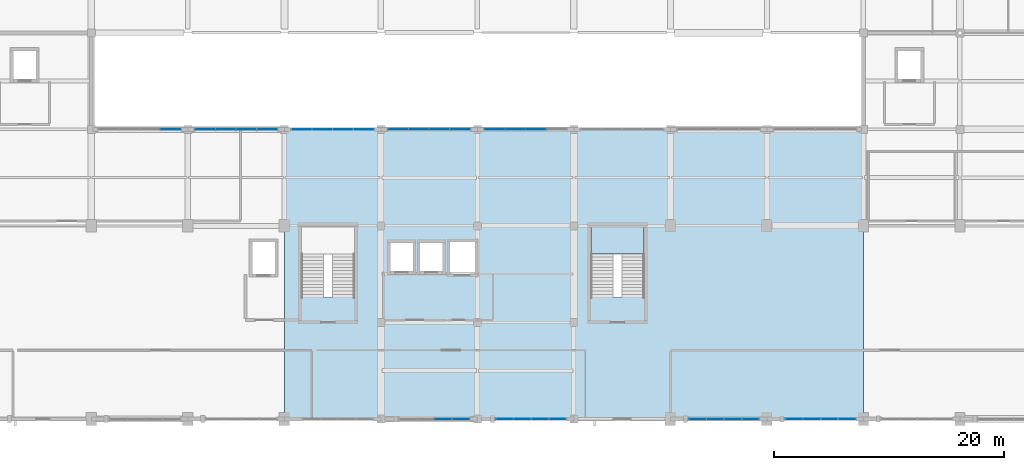
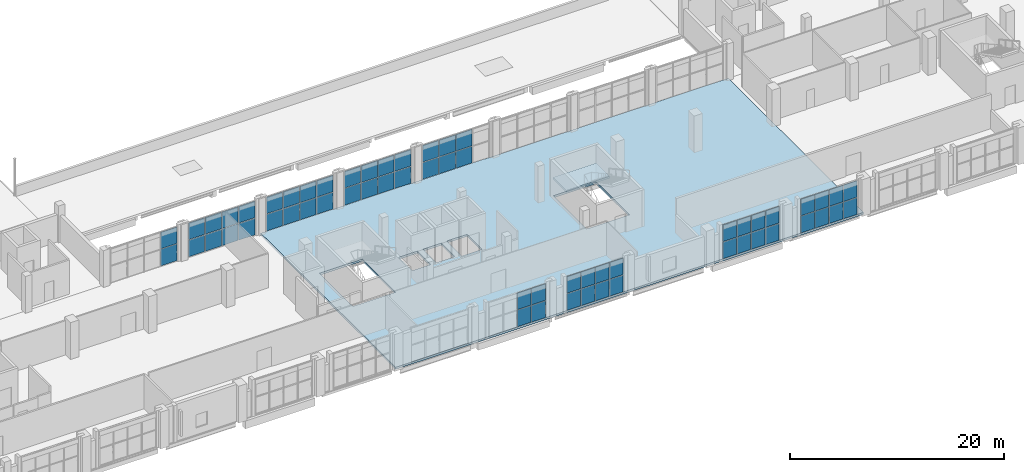
# One storey, part 40 of 64: 60 plates, 2 slabs, 10 elements without a shape of their own.
"""IFC4 building model written with IfcOpenShell, lengths in metres."""

import ifcopenshell
import ifcopenshell.guid

model = None  # the IFC model being written
_history = None  # IfcOwnerHistory: only IFC2X3 demands one
_inside = {}  # id of a spatial element -> (the spatial element, [elements in it])
_under = {}  # id of a project, library or spatial element -> (it, [spatial elements below it])
_declared = {}  # id of a project -> (the project, [libraries it declares])
_typed = {}  # id of a type object -> (the type object, [elements of that type])
_made_of = {}  # id of a material, layer set ... -> (it, [elements and type objects made of it])


def new_model(schema):
    """Start an empty IFC model of exactly this schema.

    Asked for "IFC4X3", IfcOpenShell would pick the latest addendum, in which some entities
    have other attributes; the version numbers below select the first issue.
    IFC2X3 requires an IfcOwnerHistory on every rooted entity: one is made here for all.
    """
    global model, _history
    if schema == "IFC4X3":
        model = ifcopenshell.file(schema_version=(4, 3, 0, 0))
    else:
        model = ifcopenshell.file(schema=schema)
    _inside.clear()
    _under.clear()
    _declared.clear()
    _typed.clear()
    _made_of.clear()
    _history = None
    if model.schema == "IFC2X3":
        org = make("IfcOrganization", Name="unknown")
        user = make(
            "IfcPersonAndOrganization",
            ThePerson=make("IfcPerson", FamilyName="unknown"),
            TheOrganization=org,
        )
        app = make(
            "IfcApplication",
            ApplicationDeveloper=org,
            Version="unknown",
            ApplicationFullName="unknown",
            ApplicationIdentifier="unknown",
        )
        _history = make(
            "IfcOwnerHistory",
            OwningUser=user,
            OwningApplication=app,
            ChangeAction="ADDED",
            CreationDate=0,
        )
    return model


def make(cls, **values):
    """One entity of the class cls with the attributes given. An attribute that is None is left unset."""
    return model.create_entity(
        cls, **{name: value for name, value in values.items() if value is not None}
    )


def rooted(cls, **values):
    """An entity with a GlobalId (a new one), such as an element, a storey or a relation."""
    return make(cls, GlobalId=ifcopenshell.guid.new(), OwnerHistory=_history, **values)


def si_unit(unit_type, name, prefix=None):
    """IfcSIUnit, for example si_unit("LENGTHUNIT", "METRE", prefix="MILLI")."""
    return make("IfcSIUnit", UnitType=unit_type, Prefix=prefix, Name=name)


def derived_unit(unit_type, elements):
    """IfcDerivedUnit: a product of units, each with its exponent."""
    return make(
        "IfcDerivedUnit",
        Elements=[
            make("IfcDerivedUnitElement", Unit=unit, Exponent=power)
            for unit, power in elements
        ],
        UnitType=unit_type,
    )


def assignment(units):
    """IfcUnitAssignment: the units of a project."""
    return None if units is None else make("IfcUnitAssignment", Units=units)


def point(xyz):
    """IfcCartesianPoint."""
    return None if xyz is None else make("IfcCartesianPoint", Coordinates=xyz)


def direction(xyz):
    """IfcDirection."""
    return None if xyz is None else make("IfcDirection", DirectionRatios=xyz)


def frame(location, z_axis=None, x_axis=None):
    """IfcAxis2Placement3D, a coordinate frame: its origin and axes. An axis left out is left unset."""
    return make(
        "IfcAxis2Placement3D",
        Location=point(location),
        Axis=direction(z_axis),
        RefDirection=direction(x_axis),
    )


def frame_2d(location, x_axis=None):
    """IfcAxis2Placement2D, a coordinate frame in the plane: its origin and x axis."""
    return make(
        "IfcAxis2Placement2D", Location=point(location), RefDirection=direction(x_axis)
    )


def origin():
    """The frame at (0, 0, 0) with its axes left unset."""
    return frame((0.0, 0.0, 0.0))


def origin_2d():
    """The frame at (0, 0) in the plane with its x axis left unset."""
    return frame_2d((0.0, 0.0))


def place(relative_to, where):
    """IfcLocalPlacement: puts the frame where relative to a parent placement (None: the world)."""
    return make(
        "IfcLocalPlacement", PlacementRelTo=relative_to, RelativePlacement=where
    )


def context(
    kind, dimensions, precision=None, world=None, true_north=None, identifier=None
):
    """IfcGeometricRepresentationContext, for example the 3D "Model" context."""
    return make(
        "IfcGeometricRepresentationContext",
        ContextIdentifier=identifier,
        ContextType=kind,
        CoordinateSpaceDimension=dimensions,
        Precision=precision,
        WorldCoordinateSystem=world,
        TrueNorth=true_north,
    )


def subcontext(parent, identifier, kind, view, scale=None):
    """IfcGeometricRepresentationSubContext, for example "Body" below "Model"."""
    return make(
        "IfcGeometricRepresentationSubContext",
        ContextIdentifier=identifier,
        ContextType=kind,
        ParentContext=parent,
        TargetScale=scale,
        TargetView=view,
    )


def project(units=None, contexts=None):
    """IfcProject with its units and contexts."""
    return rooted(
        "IfcProject",
        Name="project",
        RepresentationContexts=contexts,
        UnitsInContext=assignment(units),
    )


def spatial(cls, under=None, at=None, **own):
    """A site, building, storey or space (cls), placed at a placement, below another one or the project."""
    s = rooted(cls, ObjectPlacement=at, **own)
    if under is not None:
        _under.setdefault(under.id(), (under, []))[1].append(s)
    return s


def polyline(points):
    """IfcPolyline through the points."""
    return make("IfcPolyline", Points=[point(p) for p in points])


def profile(cls, at=None, kind="AREA", **sizes):
    """A parametric profile (cls). Its sizes go by their IFC names, for example OverallWidth=200.0."""
    return make(cls, ProfileType=kind, Position=at, **sizes)


def rectangle(**sizes):
    """IfcRectangleProfileDef."""
    return profile("IfcRectangleProfileDef", **sizes)


def outline(outer, holes=None, kind="AREA"):
    """IfcArbitraryClosedProfileDef: a profile drawn as a closed curve; with holes, ...WithVoids."""
    if holes is None:
        return make("IfcArbitraryClosedProfileDef", ProfileType=kind, OuterCurve=outer)
    return make(
        "IfcArbitraryProfileDefWithVoids",
        ProfileType=kind,
        OuterCurve=outer,
        InnerCurves=holes,
    )


def extrude(swept, where, along, depth):
    """IfcExtrudedAreaSolid: the profile swept, set in the frame where, extruded along a direction by depth."""
    return make(
        "IfcExtrudedAreaSolid",
        SweptArea=swept,
        Position=where,
        ExtrudedDirection=direction(along),
        Depth=depth,
    )


def shape(context_of_items, identifier, shape_type, items):
    """IfcShapeRepresentation: the items that make up one representation, for example the "Body"."""
    return make(
        "IfcShapeRepresentation",
        ContextOfItems=context_of_items,
        RepresentationIdentifier=identifier,
        RepresentationType=shape_type,
        Items=items,
    )


def material(Name=None, Category=None):
    """IfcMaterial."""
    return make("IfcMaterial", Name=Name, Category=Category)


def layer(
    of_material, thickness, ventilated=None, Name=None, Category=None, Priority=None
):
    """IfcMaterialLayer: one layer of a wall or slab, of a material (None: an air gap)."""
    return make(
        "IfcMaterialLayer",
        Material=of_material,
        LayerThickness=thickness,
        IsVentilated=ventilated,
        Name=Name,
        Category=Category,
        Priority=Priority,
    )


def layer_set(layers, Name=None):
    """IfcMaterialLayerSet."""
    return make("IfcMaterialLayerSet", MaterialLayers=layers, LayerSetName=Name)


def made_of(thing, what):
    """Note that an element or type object is made of a material, layer set ...; save() writes the relation."""
    if what is not None:
        _made_of.setdefault(what.id(), (what, []))[1].append(thing)
    return thing


def type_object(cls, material=None, **own):
    """A type object (cls), such as IfcWallType, which elements share."""
    return made_of(rooted(cls, **own), material)


def element(
    cls,
    number,
    at=None,
    inside=None,
    cuts=None,
    type_object=None,
    material=None,
    context=None,
    identifier="Body",
    shape_type=None,
    held_by="IfcProductDefinitionShape",
    body=None,
    shapes=None,
    **own,
):
    """One element of the class cls, such as IfcWall. Its Tag is "e" and its number.

    at: its placement. inside: the storey or other place that contains it. cuts: it is an
    opening in that element (IfcRelVoidsElement). A single representation is given by context,
    identifier, shape_type and body (its items); several are given by shapes. held_by: the class
    of the entity that holds the representations. save() writes the other relations.
    """
    e = rooted(cls, Tag="e%d" % number, ObjectPlacement=at, **own)
    if body is not None:
        shapes = [shape(context, identifier, shape_type, body)]
    if shapes is not None:
        e.Representation = make(held_by, Representations=shapes)
    if inside is not None:
        _inside.setdefault(inside.id(), (inside, []))[1].append(e)
    if cuts is not None:
        rooted(
            "IfcRelVoidsElement", RelatingBuildingElement=cuts, RelatedOpeningElement=e
        )
    if type_object is not None:
        _typed.setdefault(type_object.id(), (type_object, []))[1].append(e)
    return made_of(e, material)


def aggregate(whole, parts):
    """IfcRelAggregates: a whole, such as a stair, and the parts it consists of."""
    return rooted("IfcRelAggregates", RelatingObject=whole, RelatedObjects=parts)


def save(model, path):
    """Write the relations noted so far, then the file.

    IfcRelAggregates (storeys below a building ...), IfcRelContainedInSpatialStructure (elements
    in a storey), IfcRelDefinesByType, IfcRelAssociatesMaterial and IfcRelDeclares: one each for
    every whole, place, type object, material and project.
    """
    for whole, parts in _under.values():
        aggregate(whole, parts)
    for where, things in _inside.values():
        rooted(
            "IfcRelContainedInSpatialStructure",
            RelatedElements=things,
            RelatingStructure=where,
        )
    for kind, things in _typed.values():
        rooted("IfcRelDefinesByType", RelatedObjects=things, RelatingType=kind)
    for what, things in _made_of.values():
        rooted("IfcRelAssociatesMaterial", RelatedObjects=things, RelatingMaterial=what)
    for by, libraries in _declared.values():
        rooted("IfcRelDeclares", RelatingContext=by, RelatedDefinitions=libraries)
    model.write(path)


model = new_model("IFC4")

# Units and contexts
model_context = context("Model", 3, precision=1e-05, world=origin(), true_north=direction((0.0, 1.0)))
body_context = subcontext(model_context, "Body", "Model", "MODEL_VIEW")
ifc_project = project(units=[si_unit("LENGTHUNIT", "METRE"), si_unit("AREAUNIT", "SQUARE_METRE"), si_unit("VOLUMEUNIT", "CUBIC_METRE"), si_unit("PLANEANGLEUNIT", "RADIAN"), si_unit("MASSUNIT", "GRAM", prefix="KILO"), derived_unit("THERMALTRANSMITTANCEUNIT", [(si_unit("POWERUNIT", "WATT"), 1), (si_unit("LENGTHUNIT", "METRE"), -2), (si_unit("THERMODYNAMICTEMPERATUREUNIT", "KELVIN"), -1)])], contexts=[model_context])

# Site, building, storey
site_placement = place(None, origin())
site = spatial("IfcSite", under=ifc_project, at=site_placement, CompositionType="ELEMENT")
building_placement = place(site_placement, origin())
building = spatial("IfcBuilding", under=site, at=building_placement, Name="Barrovel Congress Hotel", CompositionType="ELEMENT")
storey_placement = place(building_placement, frame((0.0, 0.0, 14.10009765625)))
storey = spatial("IfcBuildingStorey", under=building, at=storey_placement, Name="L03", CompositionType="ELEMENT", Elevation=14.10009765625)

# Curtain wall, plates
ifc_material_1 = material(Name="Anodised Aluminium Alloy 6063-T6", Category="aluminium")
curtain_wall_type = type_object("IfcCurtainWallType", Name="CW-ST-7200x3600", PredefinedType="USERDEFINED", material=ifc_material_1)
curtain_wall_1_placement = place(storey_placement, origin())
curtain_wall_1 = element("IfcCurtainWall", 1, at=curtain_wall_1_placement, inside=storey, type_object=curtain_wall_type, Name="CW:L03:S:11", ObjectType="STICK CURTAIN WALL", PredefinedType="USERDEFINED")
ifc_material_2 = material(Name="Double Low-E Insulated Glazing", Category="glass")
ifc_layer_1 = layer(ifc_material_2, 0.028076171875)
ifc_layer_set_1 = layer_set([ifc_layer_1], Name="Double Low-E Insulated Glazing")
plate_type_1 = type_object("IfcPlateType", Name="CWP-28", PredefinedType="CURTAIN_PANEL", material=ifc_layer_set_1)
plate_1_placement = place(storey_placement, frame((94.784912109375, 4.199951171875, 0.030029296875), z_axis=(0.0, 0.0, 1.0), x_axis=(1.0, 0.0, 0.0)))
plate_1 = element("IfcPlate", 2, at=plate_1_placement, type_object=plate_type_1, Name="CW:L03:S:11:P0-0", PredefinedType="CURTAIN_PANEL", context=body_context, shape_type="SweptSolid", body=[
    extrude(rectangle(XDim=1.469970703125, YDim=0.028076171875, at=origin_2d()), origin(), (0.0, 0.0, 1.0), 1.89990234375),
])
plate_2_placement = place(storey_placement, frame((94.784912109375, 4.199951171875, 1.989990234375), z_axis=(0.0, 0.0, 1.0), x_axis=(1.0, 0.0, 0.0)))
plate_2 = element("IfcPlate", 3, at=plate_2_placement, type_object=plate_type_1, Name="CW:L03:S:11:P0-1", PredefinedType="CURTAIN_PANEL", context=body_context, shape_type="SweptSolid", body=[
    extrude(rectangle(XDim=1.469970703125, YDim=0.028076171875, at=origin_2d()), origin(), (0.0, 0.0, 1.0), 1.89990234375),
])
plate_3_placement = place(storey_placement, frame((96.31494140625, 4.199951171875, 0.030029296875), z_axis=(0.0, 0.0, 1.0), x_axis=(1.0, 0.0, 0.0)))
plate_3 = element("IfcPlate", 4, at=plate_3_placement, type_object=plate_type_1, Name="CW:L03:S:11:P1-0", PredefinedType="CURTAIN_PANEL", context=body_context, shape_type="SweptSolid", body=[
    extrude(rectangle(XDim=1.469970703125, YDim=0.028076171875, at=origin_2d()), origin(), (0.0, 0.0, 1.0), 1.89990234375),
])
plate_4_placement = place(storey_placement, frame((96.31494140625, 4.199951171875, 1.989990234375), z_axis=(0.0, 0.0, 1.0), x_axis=(1.0, 0.0, 0.0)))
plate_4 = element("IfcPlate", 5, at=plate_4_placement, type_object=plate_type_1, Name="CW:L03:S:11:P1-1", PredefinedType="CURTAIN_PANEL", context=body_context, shape_type="SweptSolid", body=[
    extrude(rectangle(XDim=1.469970703125, YDim=0.028076171875, at=origin_2d()), origin(), (0.0, 0.0, 1.0), 1.89990234375),
])
plate_5_placement = place(storey_placement, frame((97.844970703125, 4.199951171875, 0.030029296875), z_axis=(0.0, 0.0, 1.0), x_axis=(1.0, 0.0, 0.0)))
plate_5 = element("IfcPlate", 6, at=plate_5_placement, type_object=plate_type_1, Name="CW:L03:S:11:P2-0", PredefinedType="CURTAIN_PANEL", context=body_context, shape_type="SweptSolid", body=[
    extrude(rectangle(XDim=1.469970703125, YDim=0.028076171875, at=origin_2d()), origin(), (0.0, 0.0, 1.0), 1.89990234375),
])
plate_6_placement = place(storey_placement, frame((97.844970703125, 4.199951171875, 1.989990234375), z_axis=(0.0, 0.0, 1.0), x_axis=(1.0, 0.0, 0.0)))
plate_6 = element("IfcPlate", 7, at=plate_6_placement, type_object=plate_type_1, Name="CW:L03:S:11:P2-1", PredefinedType="CURTAIN_PANEL", context=body_context, shape_type="SweptSolid", body=[
    extrude(rectangle(XDim=1.469970703125, YDim=0.028076171875, at=origin_2d()), origin(), (0.0, 0.0, 1.0), 1.89990234375),
])
plate_7_placement = place(storey_placement, frame((99.375, 4.199951171875, 0.030029296875), z_axis=(0.0, 0.0, 1.0), x_axis=(1.0, 0.0, 0.0)))
plate_7 = element("IfcPlate", 8, at=plate_7_placement, type_object=plate_type_1, Name="CW:L03:S:11:P3-0", PredefinedType="CURTAIN_PANEL", context=body_context, shape_type="SweptSolid", body=[
    extrude(rectangle(XDim=1.469970703125, YDim=0.028076171875, at=origin_2d()), origin(), (0.0, 0.0, 1.0), 1.89990234375),
])
plate_8_placement = place(storey_placement, frame((99.375, 4.199951171875, 1.989990234375), z_axis=(0.0, 0.0, 1.0), x_axis=(1.0, 0.0, 0.0)))
plate_8 = element("IfcPlate", 9, at=plate_8_placement, type_object=plate_type_1, Name="CW:L03:S:11:P3-1", PredefinedType="CURTAIN_PANEL", context=body_context, shape_type="SweptSolid", body=[
    extrude(rectangle(XDim=1.469970703125, YDim=0.028076171875, at=origin_2d()), origin(), (0.0, 0.0, 1.0), 1.89990234375),
])
aggregate(curtain_wall_1, [plate_1, plate_2, plate_3, plate_4, plate_5, plate_6, plate_7, plate_8])

curtain_wall_2_placement = place(storey_placement, origin())
curtain_wall_2 = element("IfcCurtainWall", 10, at=curtain_wall_2_placement, inside=storey, type_object=curtain_wall_type, Name="CW:L03:S:14", ObjectType="STICK CURTAIN WALL", PredefinedType="USERDEFINED")
plate_9_placement = place(storey_placement, frame((119.985107421875, 4.199951171875, 0.030029296875), z_axis=(0.0, 0.0, 1.0), x_axis=(1.0, 0.0, 0.0)))
plate_9 = element("IfcPlate", 11, at=plate_9_placement, type_object=plate_type_1, Name="CW:L03:S:14:P0-0", PredefinedType="CURTAIN_PANEL", context=body_context, shape_type="SweptSolid", body=[
    extrude(rectangle(XDim=1.469970703125, YDim=0.028076171875, at=origin_2d()), origin(), (0.0, 0.0, 1.0), 1.89990234375),
])
plate_10_placement = place(storey_placement, frame((119.985107421875, 4.199951171875, 1.989990234375), z_axis=(0.0, 0.0, 1.0), x_axis=(1.0, 0.0, 0.0)))
plate_10 = element("IfcPlate", 12, at=plate_10_placement, type_object=plate_type_1, Name="CW:L03:S:14:P0-1", PredefinedType="CURTAIN_PANEL", context=body_context, shape_type="SweptSolid", body=[
    extrude(rectangle(XDim=1.469970703125, YDim=0.028076171875, at=origin_2d()), origin(), (0.0, 0.0, 1.0), 1.89990234375),
])
plate_11_placement = place(storey_placement, frame((121.514892578125, 4.199951171875, 0.030029296875), z_axis=(0.0, 0.0, 1.0), x_axis=(1.0, 0.0, 0.0)))
plate_11 = element("IfcPlate", 13, at=plate_11_placement, type_object=plate_type_1, Name="CW:L03:S:14:P1-0", PredefinedType="CURTAIN_PANEL", context=body_context, shape_type="SweptSolid", body=[
    extrude(rectangle(XDim=1.469970703125, YDim=0.028076171875, at=origin_2d()), origin(), (0.0, 0.0, 1.0), 1.89990234375),
])
plate_12_placement = place(storey_placement, frame((121.514892578125, 4.199951171875, 1.989990234375), z_axis=(0.0, 0.0, 1.0), x_axis=(1.0, 0.0, 0.0)))
plate_12 = element("IfcPlate", 14, at=plate_12_placement, type_object=plate_type_1, Name="CW:L03:S:14:P1-1", PredefinedType="CURTAIN_PANEL", context=body_context, shape_type="SweptSolid", body=[
    extrude(rectangle(XDim=1.469970703125, YDim=0.028076171875, at=origin_2d()), origin(), (0.0, 0.0, 1.0), 1.89990234375),
])
plate_13_placement = place(storey_placement, frame((123.044921875, 4.199951171875, 0.030029296875), z_axis=(0.0, 0.0, 1.0), x_axis=(1.0, 0.0, 0.0)))
plate_13 = element("IfcPlate", 15, at=plate_13_placement, type_object=plate_type_1, Name="CW:L03:S:14:P2-0", PredefinedType="CURTAIN_PANEL", context=body_context, shape_type="SweptSolid", body=[
    extrude(rectangle(XDim=1.469970703125, YDim=0.028076171875, at=origin_2d()), origin(), (0.0, 0.0, 1.0), 1.89990234375),
])
plate_14_placement = place(storey_placement, frame((123.044921875, 4.199951171875, 1.989990234375), z_axis=(0.0, 0.0, 1.0), x_axis=(1.0, 0.0, 0.0)))
plate_14 = element("IfcPlate", 16, at=plate_14_placement, type_object=plate_type_1, Name="CW:L03:S:14:P2-1", PredefinedType="CURTAIN_PANEL", context=body_context, shape_type="SweptSolid", body=[
    extrude(rectangle(XDim=1.469970703125, YDim=0.028076171875, at=origin_2d()), origin(), (0.0, 0.0, 1.0), 1.89990234375),
])
plate_15_placement = place(storey_placement, frame((124.574951171875, 4.199951171875, 0.030029296875), z_axis=(0.0, 0.0, 1.0), x_axis=(1.0, 0.0, 0.0)))
plate_15 = element("IfcPlate", 17, at=plate_15_placement, type_object=plate_type_1, Name="CW:L03:S:14:P3-0", PredefinedType="CURTAIN_PANEL", context=body_context, shape_type="SweptSolid", body=[
    extrude(rectangle(XDim=1.469970703125, YDim=0.028076171875, at=origin_2d()), origin(), (0.0, 0.0, 1.0), 1.89990234375),
])
plate_16_placement = place(storey_placement, frame((124.574951171875, 4.199951171875, 1.989990234375), z_axis=(0.0, 0.0, 1.0), x_axis=(1.0, 0.0, 0.0)))
plate_16 = element("IfcPlate", 18, at=plate_16_placement, type_object=plate_type_1, Name="CW:L03:S:14:P3-1", PredefinedType="CURTAIN_PANEL", context=body_context, shape_type="SweptSolid", body=[
    extrude(rectangle(XDim=1.469970703125, YDim=0.028076171875, at=origin_2d()), origin(), (0.0, 0.0, 1.0), 1.89990234375),
])
aggregate(curtain_wall_2, [plate_9, plate_10, plate_11, plate_12, plate_13, plate_14, plate_15, plate_16])

curtain_wall_3_placement = place(storey_placement, origin())
curtain_wall_3 = element("IfcCurtainWall", 19, at=curtain_wall_3_placement, inside=storey, type_object=curtain_wall_type, Name="CW:L03:CS:11", ObjectType="STICK CURTAIN WALL", PredefinedType="USERDEFINED")
plate_17_placement = place(storey_placement, frame((97.5, 29.39990234375, 0.030029296875), z_axis=(0.0, 0.0, 1.0), x_axis=(-1.0, 0.0, 0.0)))
plate_17 = element("IfcPlate", 20, at=plate_17_placement, type_object=plate_type_1, Name="CW:L03:CS:11:P1-0", PredefinedType="CURTAIN_PANEL", context=body_context, shape_type="SweptSolid", body=[
    extrude(rectangle(XDim=1.739990234375, YDim=0.028076171875, at=origin_2d()), origin(), (0.0, 0.0, 1.0), 1.89990234375),
])
plate_18_placement = place(storey_placement, frame((97.5, 29.39990234375, 1.989990234375), z_axis=(0.0, 0.0, 1.0), x_axis=(-1.0, 0.0, 0.0)))
plate_18 = element("IfcPlate", 21, at=plate_18_placement, type_object=plate_type_1, Name="CW:L03:CS:11:P1-1", PredefinedType="CURTAIN_PANEL", context=body_context, shape_type="SweptSolid", body=[
    extrude(rectangle(XDim=1.739990234375, YDim=0.028076171875, at=origin_2d()), origin(), (0.0, 0.0, 1.0), 1.89990234375),
])
plate_19_placement = place(storey_placement, frame((95.699951171875, 29.39990234375, 0.030029296875), z_axis=(0.0, 0.0, 1.0), x_axis=(-1.0, 0.0, 0.0)))
plate_19 = element("IfcPlate", 22, at=plate_19_placement, type_object=plate_type_1, Name="CW:L03:CS:11:P2-0", PredefinedType="CURTAIN_PANEL", context=body_context, shape_type="SweptSolid", body=[
    extrude(rectangle(XDim=1.739990234375, YDim=0.028076171875, at=origin_2d()), origin(), (0.0, 0.0, 1.0), 1.89990234375),
])
plate_20_placement = place(storey_placement, frame((95.699951171875, 29.39990234375, 1.989990234375), z_axis=(0.0, 0.0, 1.0), x_axis=(-1.0, 0.0, 0.0)))
plate_20 = element("IfcPlate", 23, at=plate_20_placement, type_object=plate_type_1, Name="CW:L03:CS:11:P2-1", PredefinedType="CURTAIN_PANEL", context=body_context, shape_type="SweptSolid", body=[
    extrude(rectangle(XDim=1.739990234375, YDim=0.028076171875, at=origin_2d()), origin(), (0.0, 0.0, 1.0), 1.89990234375),
])
plate_21_placement = place(storey_placement, frame((93.89990234375, 29.39990234375, 0.030029296875), z_axis=(0.0, 0.0, 1.0), x_axis=(-1.0, 0.0, 0.0)))
plate_21 = element("IfcPlate", 24, at=plate_21_placement, type_object=plate_type_1, Name="CW:L03:CS:11:P3-0", PredefinedType="CURTAIN_PANEL", context=body_context, shape_type="SweptSolid", body=[
    extrude(rectangle(XDim=1.739990234375, YDim=0.028076171875, at=origin_2d()), origin(), (0.0, 0.0, 1.0), 1.89990234375),
])
plate_22_placement = place(storey_placement, frame((93.89990234375, 29.39990234375, 1.989990234375), z_axis=(0.0, 0.0, 1.0), x_axis=(-1.0, 0.0, 0.0)))
plate_22 = element("IfcPlate", 25, at=plate_22_placement, type_object=plate_type_1, Name="CW:L03:CS:11:P3-1", PredefinedType="CURTAIN_PANEL", context=body_context, shape_type="SweptSolid", body=[
    extrude(rectangle(XDim=1.739990234375, YDim=0.028076171875, at=origin_2d()), origin(), (0.0, 0.0, 1.0), 1.89990234375),
])
aggregate(curtain_wall_3, [plate_17, plate_18, plate_19, plate_20, plate_21, plate_22])

curtain_wall_4_placement = place(storey_placement, origin())
curtain_wall_4 = element("IfcCurtainWall", 26, at=curtain_wall_4_placement, inside=storey, type_object=curtain_wall_type, Name="CW:L03:CS:09", ObjectType="STICK CURTAIN WALL", PredefinedType="USERDEFINED")
plate_23_placement = place(storey_placement, frame((82.5, 29.39990234375, 0.030029296875), z_axis=(0.0, 0.0, 1.0), x_axis=(-1.0, 0.0, 0.0)))
plate_23 = element("IfcPlate", 27, at=plate_23_placement, type_object=plate_type_1, Name="CW:L03:CS:09:P0-0", PredefinedType="CURTAIN_PANEL", context=body_context, shape_type="SweptSolid", body=[
    extrude(rectangle(XDim=1.739990234375, YDim=0.028076171875, at=origin_2d()), origin(), (0.0, 0.0, 1.0), 1.89990234375),
])
plate_24_placement = place(storey_placement, frame((82.5, 29.39990234375, 1.989990234375), z_axis=(0.0, 0.0, 1.0), x_axis=(-1.0, 0.0, 0.0)))
plate_24 = element("IfcPlate", 28, at=plate_24_placement, type_object=plate_type_1, Name="CW:L03:CS:09:P0-1", PredefinedType="CURTAIN_PANEL", context=body_context, shape_type="SweptSolid", body=[
    extrude(rectangle(XDim=1.739990234375, YDim=0.028076171875, at=origin_2d()), origin(), (0.0, 0.0, 1.0), 1.89990234375),
])
plate_25_placement = place(storey_placement, frame((80.699951171875, 29.39990234375, 0.030029296875), z_axis=(0.0, 0.0, 1.0), x_axis=(-1.0, 0.0, 0.0)))
plate_25 = element("IfcPlate", 29, at=plate_25_placement, type_object=plate_type_1, Name="CW:L03:CS:09:P1-0", PredefinedType="CURTAIN_PANEL", context=body_context, shape_type="SweptSolid", body=[
    extrude(rectangle(XDim=1.739990234375, YDim=0.028076171875, at=origin_2d()), origin(), (0.0, 0.0, 1.0), 1.89990234375),
])
plate_26_placement = place(storey_placement, frame((80.699951171875, 29.39990234375, 1.989990234375), z_axis=(0.0, 0.0, 1.0), x_axis=(-1.0, 0.0, 0.0)))
plate_26 = element("IfcPlate", 30, at=plate_26_placement, type_object=plate_type_1, Name="CW:L03:CS:09:P1-1", PredefinedType="CURTAIN_PANEL", context=body_context, shape_type="SweptSolid", body=[
    extrude(rectangle(XDim=1.739990234375, YDim=0.028076171875, at=origin_2d()), origin(), (0.0, 0.0, 1.0), 1.89990234375),
])
plate_27_placement = place(storey_placement, frame((78.89990234375, 29.39990234375, 0.030029296875), z_axis=(0.0, 0.0, 1.0), x_axis=(-1.0, 0.0, 0.0)))
plate_27 = element("IfcPlate", 31, at=plate_27_placement, type_object=plate_type_1, Name="CW:L03:CS:09:P2-0", PredefinedType="CURTAIN_PANEL", context=body_context, shape_type="SweptSolid", body=[
    extrude(rectangle(XDim=1.739990234375, YDim=0.028076171875, at=origin_2d()), origin(), (0.0, 0.0, 1.0), 1.89990234375),
])
plate_28_placement = place(storey_placement, frame((78.89990234375, 29.39990234375, 1.989990234375), z_axis=(0.0, 0.0, 1.0), x_axis=(-1.0, 0.0, 0.0)))
plate_28 = element("IfcPlate", 32, at=plate_28_placement, type_object=plate_type_1, Name="CW:L03:CS:09:P2-1", PredefinedType="CURTAIN_PANEL", context=body_context, shape_type="SweptSolid", body=[
    extrude(rectangle(XDim=1.739990234375, YDim=0.028076171875, at=origin_2d()), origin(), (0.0, 0.0, 1.0), 1.89990234375),
])
plate_29_placement = place(storey_placement, frame((77.10009765625, 29.39990234375, 0.030029296875), z_axis=(0.0, 0.0, 1.0), x_axis=(-1.0, 0.0, 0.0)))
plate_29 = element("IfcPlate", 33, at=plate_29_placement, type_object=plate_type_1, Name="CW:L03:CS:09:P3-0", PredefinedType="CURTAIN_PANEL", context=body_context, shape_type="SweptSolid", body=[
    extrude(rectangle(XDim=1.739990234375, YDim=0.028076171875, at=origin_2d()), origin(), (0.0, 0.0, 1.0), 1.89990234375),
])
plate_30_placement = place(storey_placement, frame((77.10009765625, 29.39990234375, 1.989990234375), z_axis=(0.0, 0.0, 1.0), x_axis=(-1.0, 0.0, 0.0)))
plate_30 = element("IfcPlate", 34, at=plate_30_placement, type_object=plate_type_1, Name="CW:L03:CS:09:P3-1", PredefinedType="CURTAIN_PANEL", context=body_context, shape_type="SweptSolid", body=[
    extrude(rectangle(XDim=1.739990234375, YDim=0.028076171875, at=origin_2d()), origin(), (0.0, 0.0, 1.0), 1.89990234375),
])
aggregate(curtain_wall_4, [plate_23, plate_24, plate_25, plate_26, plate_27, plate_28, plate_29, plate_30])

curtain_wall_5_placement = place(storey_placement, origin())
curtain_wall_5 = element("IfcCurtainWall", 35, at=curtain_wall_5_placement, inside=storey, type_object=curtain_wall_type, Name="CW:L03:CS:07", ObjectType="STICK CURTAIN WALL", PredefinedType="USERDEFINED")
plate_31_placement = place(storey_placement, frame((65.699951171875, 29.39990234375, 0.030029296875), z_axis=(0.0, 0.0, 1.0), x_axis=(-1.0, 0.0, 0.0)))
plate_31 = element("IfcPlate", 36, at=plate_31_placement, type_object=plate_type_1, Name="CW:L03:CS:07:P0-0", PredefinedType="CURTAIN_PANEL", context=body_context, shape_type="SweptSolid", body=[
    extrude(rectangle(XDim=1.739990234375, YDim=0.028076171875, at=origin_2d()), origin(), (0.0, 0.0, 1.0), 1.89990234375),
])
plate_32_placement = place(storey_placement, frame((65.699951171875, 29.39990234375, 1.989990234375), z_axis=(0.0, 0.0, 1.0), x_axis=(-1.0, 0.0, 0.0)))
plate_32 = element("IfcPlate", 37, at=plate_32_placement, type_object=plate_type_1, Name="CW:L03:CS:07:P0-1", PredefinedType="CURTAIN_PANEL", context=body_context, shape_type="SweptSolid", body=[
    extrude(rectangle(XDim=1.739990234375, YDim=0.028076171875, at=origin_2d()), origin(), (0.0, 0.0, 1.0), 1.89990234375),
])
aggregate(curtain_wall_5, [plate_31, plate_32])

curtain_wall_6_placement = place(storey_placement, origin())
curtain_wall_6 = element("IfcCurtainWall", 38, at=curtain_wall_6_placement, inside=storey, type_object=curtain_wall_type, Name="CW:L03:S:10", ObjectType="STICK CURTAIN WALL", PredefinedType="USERDEFINED")
ifc_layer_2 = layer(ifc_material_2, 0.031982421875)
ifc_layer_set_2 = layer_set([ifc_layer_2], Name="Double Low-E Insulated Glazing")
plate_type_2 = type_object("IfcPlateType", Name="CWP-32", PredefinedType="CURTAIN_PANEL", material=ifc_layer_set_2)
plate_33_placement = place(storey_placement, frame((89.445068359375, 4.199951171875, 0.030029296875), z_axis=(0.0, 0.0, 1.0), x_axis=(1.0, 0.0, 0.0)))
plate_33 = element("IfcPlate", 39, at=plate_33_placement, type_object=plate_type_2, Name="CW:L03:S:10:P2-0", PredefinedType="CURTAIN_PANEL", context=body_context, shape_type="SweptSolid", body=[
    extrude(rectangle(XDim=1.469970703125, YDim=0.031982421875, at=origin_2d()), origin(), (0.0, 0.0, 1.0), 1.89990234375),
])
plate_34_placement = place(storey_placement, frame((89.445068359375, 4.199951171875, 1.989990234375), z_axis=(0.0, 0.0, 1.0), x_axis=(1.0, 0.0, 0.0)))
plate_34 = element("IfcPlate", 40, at=plate_34_placement, type_object=plate_type_2, Name="CW:L03:S:10:P2-1", PredefinedType="CURTAIN_PANEL", context=body_context, shape_type="SweptSolid", body=[
    extrude(rectangle(XDim=1.469970703125, YDim=0.031982421875, at=origin_2d()), origin(), (0.0, 0.0, 1.0), 1.89990234375),
])
plate_35_placement = place(storey_placement, frame((90.97509765625, 4.199951171875, 0.030029296875), z_axis=(0.0, 0.0, 1.0), x_axis=(1.0, 0.0, 0.0)))
plate_35 = element("IfcPlate", 41, at=plate_35_placement, type_object=plate_type_2, Name="CW:L03:S:10:P3-0", PredefinedType="CURTAIN_PANEL", context=body_context, shape_type="SweptSolid", body=[
    extrude(rectangle(XDim=1.469970703125, YDim=0.031982421875, at=origin_2d()), origin(), (0.0, 0.0, 1.0), 1.89990234375),
])
plate_36_placement = place(storey_placement, frame((90.97509765625, 4.199951171875, 1.989990234375), z_axis=(0.0, 0.0, 1.0), x_axis=(1.0, 0.0, 0.0)))
plate_36 = element("IfcPlate", 42, at=plate_36_placement, type_object=plate_type_2, Name="CW:L03:S:10:P3-1", PredefinedType="CURTAIN_PANEL", context=body_context, shape_type="SweptSolid", body=[
    extrude(rectangle(XDim=1.469970703125, YDim=0.031982421875, at=origin_2d()), origin(), (0.0, 0.0, 1.0), 1.89990234375),
])
aggregate(curtain_wall_6, [plate_33, plate_34, plate_35, plate_36])

curtain_wall_7_placement = place(storey_placement, origin())
curtain_wall_7 = element("IfcCurtainWall", 43, at=curtain_wall_7_placement, inside=storey, type_object=curtain_wall_type, Name="CW:L03:S:13", ObjectType="STICK CURTAIN WALL", PredefinedType="USERDEFINED")
plate_37_placement = place(storey_placement, frame((111.5849609375, 4.199951171875, 0.030029296875), z_axis=(0.0, 0.0, 1.0), x_axis=(1.0, 0.0, 0.0)))
plate_37 = element("IfcPlate", 44, at=plate_37_placement, type_object=plate_type_2, Name="CW:L03:S:13:P0-0", PredefinedType="CURTAIN_PANEL", context=body_context, shape_type="SweptSolid", body=[
    extrude(rectangle(XDim=1.469970703125, YDim=0.031982421875, at=origin_2d()), origin(), (0.0, 0.0, 1.0), 1.89990234375),
])
plate_38_placement = place(storey_placement, frame((111.5849609375, 4.199951171875, 1.989990234375), z_axis=(0.0, 0.0, 1.0), x_axis=(1.0, 0.0, 0.0)))
plate_38 = element("IfcPlate", 45, at=plate_38_placement, type_object=plate_type_2, Name="CW:L03:S:13:P0-1", PredefinedType="CURTAIN_PANEL", context=body_context, shape_type="SweptSolid", body=[
    extrude(rectangle(XDim=1.469970703125, YDim=0.031982421875, at=origin_2d()), origin(), (0.0, 0.0, 1.0), 1.89990234375),
])
plate_39_placement = place(storey_placement, frame((113.114990234375, 4.199951171875, 0.030029296875), z_axis=(0.0, 0.0, 1.0), x_axis=(1.0, 0.0, 0.0)))
plate_39 = element("IfcPlate", 46, at=plate_39_placement, type_object=plate_type_2, Name="CW:L03:S:13:P1-0", PredefinedType="CURTAIN_PANEL", context=body_context, shape_type="SweptSolid", body=[
    extrude(rectangle(XDim=1.469970703125, YDim=0.031982421875, at=origin_2d()), origin(), (0.0, 0.0, 1.0), 1.89990234375),
])
plate_40_placement = place(storey_placement, frame((113.114990234375, 4.199951171875, 1.989990234375), z_axis=(0.0, 0.0, 1.0), x_axis=(1.0, 0.0, 0.0)))
plate_40 = element("IfcPlate", 47, at=plate_40_placement, type_object=plate_type_2, Name="CW:L03:S:13:P1-1", PredefinedType="CURTAIN_PANEL", context=body_context, shape_type="SweptSolid", body=[
    extrude(rectangle(XDim=1.469970703125, YDim=0.031982421875, at=origin_2d()), origin(), (0.0, 0.0, 1.0), 1.89990234375),
])
plate_41_placement = place(storey_placement, frame((114.64501953125, 4.199951171875, 0.030029296875), z_axis=(0.0, 0.0, 1.0), x_axis=(1.0, 0.0, 0.0)))
plate_41 = element("IfcPlate", 48, at=plate_41_placement, type_object=plate_type_2, Name="CW:L03:S:13:P2-0", PredefinedType="CURTAIN_PANEL", context=body_context, shape_type="SweptSolid", body=[
    extrude(rectangle(XDim=1.469970703125, YDim=0.031982421875, at=origin_2d()), origin(), (0.0, 0.0, 1.0), 1.89990234375),
])
plate_42_placement = place(storey_placement, frame((114.64501953125, 4.199951171875, 1.989990234375), z_axis=(0.0, 0.0, 1.0), x_axis=(1.0, 0.0, 0.0)))
plate_42 = element("IfcPlate", 49, at=plate_42_placement, type_object=plate_type_2, Name="CW:L03:S:13:P2-1", PredefinedType="CURTAIN_PANEL", context=body_context, shape_type="SweptSolid", body=[
    extrude(rectangle(XDim=1.469970703125, YDim=0.031982421875, at=origin_2d()), origin(), (0.0, 0.0, 1.0), 1.89990234375),
])
plate_43_placement = place(storey_placement, frame((116.175048828125, 4.199951171875, 0.030029296875), z_axis=(0.0, 0.0, 1.0), x_axis=(1.0, 0.0, 0.0)))
plate_43 = element("IfcPlate", 50, at=plate_43_placement, type_object=plate_type_2, Name="CW:L03:S:13:P3-0", PredefinedType="CURTAIN_PANEL", context=body_context, shape_type="SweptSolid", body=[
    extrude(rectangle(XDim=1.469970703125, YDim=0.031982421875, at=origin_2d()), origin(), (0.0, 0.0, 1.0), 1.89990234375),
])
plate_44_placement = place(storey_placement, frame((116.175048828125, 4.199951171875, 1.989990234375), z_axis=(0.0, 0.0, 1.0), x_axis=(1.0, 0.0, 0.0)))
plate_44 = element("IfcPlate", 51, at=plate_44_placement, type_object=plate_type_2, Name="CW:L03:S:13:P3-1", PredefinedType="CURTAIN_PANEL", context=body_context, shape_type="SweptSolid", body=[
    extrude(rectangle(XDim=1.469970703125, YDim=0.031982421875, at=origin_2d()), origin(), (0.0, 0.0, 1.0), 1.89990234375),
])
aggregate(curtain_wall_7, [plate_37, plate_38, plate_39, plate_40, plate_41, plate_42, plate_43, plate_44])

curtain_wall_8_placement = place(storey_placement, origin())
curtain_wall_8 = element("IfcCurtainWall", 52, at=curtain_wall_8_placement, inside=storey, type_object=curtain_wall_type, Name="CW:L03:CS:10", ObjectType="STICK CURTAIN WALL", PredefinedType="USERDEFINED")
plate_45_placement = place(storey_placement, frame((90.89990234375, 29.39990234375, 0.030029296875), z_axis=(0.0, 0.0, 1.0), x_axis=(-1.0, 0.0, 0.0)))
plate_45 = element("IfcPlate", 53, at=plate_45_placement, type_object=plate_type_2, Name="CW:L03:CS:10:P0-0", PredefinedType="CURTAIN_PANEL", context=body_context, shape_type="SweptSolid", body=[
    extrude(rectangle(XDim=1.739990234375, YDim=0.031982421875, at=origin_2d()), origin(), (0.0, 0.0, 1.0), 1.89990234375),
])
plate_46_placement = place(storey_placement, frame((90.89990234375, 29.39990234375, 1.989990234375), z_axis=(0.0, 0.0, 1.0), x_axis=(-1.0, 0.0, 0.0)))
plate_46 = element("IfcPlate", 54, at=plate_46_placement, type_object=plate_type_2, Name="CW:L03:CS:10:P0-1", PredefinedType="CURTAIN_PANEL", context=body_context, shape_type="SweptSolid", body=[
    extrude(rectangle(XDim=1.739990234375, YDim=0.031982421875, at=origin_2d()), origin(), (0.0, 0.0, 1.0), 1.89990234375),
])
plate_47_placement = place(storey_placement, frame((89.10009765625, 29.39990234375, 0.030029296875), z_axis=(0.0, 0.0, 1.0), x_axis=(-1.0, 0.0, 0.0)))
plate_47 = element("IfcPlate", 55, at=plate_47_placement, type_object=plate_type_2, Name="CW:L03:CS:10:P1-0", PredefinedType="CURTAIN_PANEL", context=body_context, shape_type="SweptSolid", body=[
    extrude(rectangle(XDim=1.739990234375, YDim=0.031982421875, at=origin_2d()), origin(), (0.0, 0.0, 1.0), 1.89990234375),
])
plate_48_placement = place(storey_placement, frame((89.10009765625, 29.39990234375, 1.989990234375), z_axis=(0.0, 0.0, 1.0), x_axis=(-1.0, 0.0, 0.0)))
plate_48 = element("IfcPlate", 56, at=plate_48_placement, type_object=plate_type_2, Name="CW:L03:CS:10:P1-1", PredefinedType="CURTAIN_PANEL", context=body_context, shape_type="SweptSolid", body=[
    extrude(rectangle(XDim=1.739990234375, YDim=0.031982421875, at=origin_2d()), origin(), (0.0, 0.0, 1.0), 1.89990234375),
])
plate_49_placement = place(storey_placement, frame((87.300048828125, 29.39990234375, 0.030029296875), z_axis=(0.0, 0.0, 1.0), x_axis=(-1.0, 0.0, 0.0)))
plate_49 = element("IfcPlate", 57, at=plate_49_placement, type_object=plate_type_2, Name="CW:L03:CS:10:P2-0", PredefinedType="CURTAIN_PANEL", context=body_context, shape_type="SweptSolid", body=[
    extrude(rectangle(XDim=1.739990234375, YDim=0.031982421875, at=origin_2d()), origin(), (0.0, 0.0, 1.0), 1.89990234375),
])
plate_50_placement = place(storey_placement, frame((87.300048828125, 29.39990234375, 1.989990234375), z_axis=(0.0, 0.0, 1.0), x_axis=(-1.0, 0.0, 0.0)))
plate_50 = element("IfcPlate", 58, at=plate_50_placement, type_object=plate_type_2, Name="CW:L03:CS:10:P2-1", PredefinedType="CURTAIN_PANEL", context=body_context, shape_type="SweptSolid", body=[
    extrude(rectangle(XDim=1.739990234375, YDim=0.031982421875, at=origin_2d()), origin(), (0.0, 0.0, 1.0), 1.89990234375),
])
plate_51_placement = place(storey_placement, frame((85.5, 29.39990234375, 0.030029296875), z_axis=(0.0, 0.0, 1.0), x_axis=(-1.0, 0.0, 0.0)))
plate_51 = element("IfcPlate", 59, at=plate_51_placement, type_object=plate_type_2, Name="CW:L03:CS:10:P3-0", PredefinedType="CURTAIN_PANEL", context=body_context, shape_type="SweptSolid", body=[
    extrude(rectangle(XDim=1.739990234375, YDim=0.031982421875, at=origin_2d()), origin(), (0.0, 0.0, 1.0), 1.89990234375),
])
plate_52_placement = place(storey_placement, frame((85.5, 29.39990234375, 1.989990234375), z_axis=(0.0, 0.0, 1.0), x_axis=(-1.0, 0.0, 0.0)))
plate_52 = element("IfcPlate", 60, at=plate_52_placement, type_object=plate_type_2, Name="CW:L03:CS:10:P3-1", PredefinedType="CURTAIN_PANEL", context=body_context, shape_type="SweptSolid", body=[
    extrude(rectangle(XDim=1.739990234375, YDim=0.031982421875, at=origin_2d()), origin(), (0.0, 0.0, 1.0), 1.89990234375),
])
aggregate(curtain_wall_8, [plate_45, plate_46, plate_47, plate_48, plate_49, plate_50, plate_51, plate_52])

curtain_wall_9_placement = place(storey_placement, origin())
curtain_wall_9 = element("IfcCurtainWall", 61, at=curtain_wall_9_placement, inside=storey, type_object=curtain_wall_type, Name="CW:L03:CS:08", ObjectType="STICK CURTAIN WALL", PredefinedType="USERDEFINED")
plate_53_placement = place(storey_placement, frame((74.10009765625, 29.39990234375, 0.030029296875), z_axis=(0.0, 0.0, 1.0), x_axis=(-1.0, 0.0, 0.0)))
plate_53 = element("IfcPlate", 62, at=plate_53_placement, type_object=plate_type_2, Name="CW:L03:CS:08:P0-0", PredefinedType="CURTAIN_PANEL", context=body_context, shape_type="SweptSolid", body=[
    extrude(rectangle(XDim=1.739990234375, YDim=0.031982421875, at=origin_2d()), origin(), (0.0, 0.0, 1.0), 1.89990234375),
])
plate_54_placement = place(storey_placement, frame((74.10009765625, 29.39990234375, 1.989990234375), z_axis=(0.0, 0.0, 1.0), x_axis=(-1.0, 0.0, 0.0)))
plate_54 = element("IfcPlate", 63, at=plate_54_placement, type_object=plate_type_2, Name="CW:L03:CS:08:P0-1", PredefinedType="CURTAIN_PANEL", context=body_context, shape_type="SweptSolid", body=[
    extrude(rectangle(XDim=1.739990234375, YDim=0.031982421875, at=origin_2d()), origin(), (0.0, 0.0, 1.0), 1.89990234375),
])
plate_55_placement = place(storey_placement, frame((72.300048828125, 29.39990234375, 0.030029296875), z_axis=(0.0, 0.0, 1.0), x_axis=(-1.0, 0.0, 0.0)))
plate_55 = element("IfcPlate", 64, at=plate_55_placement, type_object=plate_type_2, Name="CW:L03:CS:08:P1-0", PredefinedType="CURTAIN_PANEL", context=body_context, shape_type="SweptSolid", body=[
    extrude(rectangle(XDim=1.739990234375, YDim=0.031982421875, at=origin_2d()), origin(), (0.0, 0.0, 1.0), 1.89990234375),
])
plate_56_placement = place(storey_placement, frame((72.300048828125, 29.39990234375, 1.989990234375), z_axis=(0.0, 0.0, 1.0), x_axis=(-1.0, 0.0, 0.0)))
plate_56 = element("IfcPlate", 65, at=plate_56_placement, type_object=plate_type_2, Name="CW:L03:CS:08:P1-1", PredefinedType="CURTAIN_PANEL", context=body_context, shape_type="SweptSolid", body=[
    extrude(rectangle(XDim=1.739990234375, YDim=0.031982421875, at=origin_2d()), origin(), (0.0, 0.0, 1.0), 1.89990234375),
])
plate_57_placement = place(storey_placement, frame((70.5, 29.39990234375, 0.030029296875), z_axis=(0.0, 0.0, 1.0), x_axis=(-1.0, 0.0, 0.0)))
plate_57 = element("IfcPlate", 66, at=plate_57_placement, type_object=plate_type_2, Name="CW:L03:CS:08:P2-0", PredefinedType="CURTAIN_PANEL", context=body_context, shape_type="SweptSolid", body=[
    extrude(rectangle(XDim=1.739990234375, YDim=0.031982421875, at=origin_2d()), origin(), (0.0, 0.0, 1.0), 1.89990234375),
])
plate_58_placement = place(storey_placement, frame((70.5, 29.39990234375, 1.989990234375), z_axis=(0.0, 0.0, 1.0), x_axis=(-1.0, 0.0, 0.0)))
plate_58 = element("IfcPlate", 67, at=plate_58_placement, type_object=plate_type_2, Name="CW:L03:CS:08:P2-1", PredefinedType="CURTAIN_PANEL", context=body_context, shape_type="SweptSolid", body=[
    extrude(rectangle(XDim=1.739990234375, YDim=0.031982421875, at=origin_2d()), origin(), (0.0, 0.0, 1.0), 1.89990234375),
])
plate_59_placement = place(storey_placement, frame((68.699951171875, 29.39990234375, 0.030029296875), z_axis=(0.0, 0.0, 1.0), x_axis=(-1.0, 0.0, 0.0)))
plate_59 = element("IfcPlate", 68, at=plate_59_placement, type_object=plate_type_2, Name="CW:L03:CS:08:P3-0", PredefinedType="CURTAIN_PANEL", context=body_context, shape_type="SweptSolid", body=[
    extrude(rectangle(XDim=1.739990234375, YDim=0.031982421875, at=origin_2d()), origin(), (0.0, 0.0, 1.0), 1.89990234375),
])
plate_60_placement = place(storey_placement, frame((68.699951171875, 29.39990234375, 1.989990234375), z_axis=(0.0, 0.0, 1.0), x_axis=(-1.0, 0.0, 0.0)))
plate_60 = element("IfcPlate", 69, at=plate_60_placement, type_object=plate_type_2, Name="CW:L03:CS:08:P3-1", PredefinedType="CURTAIN_PANEL", context=body_context, shape_type="SweptSolid", body=[
    extrude(rectangle(XDim=1.739990234375, YDim=0.031982421875, at=origin_2d()), origin(), (0.0, 0.0, 1.0), 1.89990234375),
])
aggregate(curtain_wall_9, [plate_53, plate_54, plate_55, plate_56, plate_57, plate_58, plate_59, plate_60])

# Slab
ifc_material_3 = material(Name="Concrete C35", Category="concrete")
ifc_layer_3 = layer(ifc_material_3, 0.239990234375)
ifc_layer_set_3 = layer_set([ifc_layer_3], Name="Concrete C35")
slab_type_1 = type_object("IfcSlabType", Name="SL-F240", PredefinedType="FLOOR", material=ifc_layer_set_3)
slab_1_placement = place(storey_placement, frame((0.0, 0.0, -0.239990234375)))
element("IfcSlab", 70, at=slab_1_placement, inside=storey, type_object=slab_type_1, Name="SLAB:L03:V4-2", PredefinedType="FLOOR", context=body_context, shape_type="SweptSolid", body=[
    extrude(outline(polyline([(75.60009765625, 4.199951171875), (126.0, 4.199951171875), (126.0, 29.39990234375), (75.60009765625, 29.39990234375), (75.60009765625, 4.199951171875)]), holes=[polyline([(77.10009765625, 14.780029296875), (77.10009765625, 21.0), (81.699951171875, 21.0), (81.699951171875, 14.780029296875), (77.10009765625, 14.780029296875)]), polyline([(102.300048828125, 14.780029296875), (102.300048828125, 21.0), (106.89990234375, 21.0), (106.89990234375, 14.780029296875), (102.300048828125, 14.780029296875)]), polyline([(84.800048828125, 17.050048828125), (84.800048828125, 19.550048828125), (86.800048828125, 19.550048828125), (86.800048828125, 17.050048828125), (84.800048828125, 17.050048828125)]), polyline([(87.39990234375, 17.050048828125), (87.39990234375, 19.550048828125), (89.39990234375, 19.550048828125), (89.39990234375, 17.050048828125), (87.39990234375, 17.050048828125)]), polyline([(90.0, 16.800048828125), (90.0, 19.60009765625), (92.199951171875, 19.60009765625), (92.199951171875, 16.800048828125), (90.0, 16.800048828125)])]), origin(), (0.0, 0.0, 1.0), 0.239990234375),
])

# Stair, slab
ifc_material_4 = material(Name="Concrete C40", Category="concrete")
stair_type = type_object("IfcStairType", Name="STR-HT-420", PredefinedType="HALF_TURN_STAIR", material=ifc_material_4)
stair_placement = place(storey_placement, origin())
stair = element("IfcStair", 71, at=stair_placement, inside=storey, type_object=stair_type, Name="Exit Stair XS-03 (L03)", PredefinedType="HALF_TURN_STAIR")
ifc_layer_4 = layer(ifc_material_4, 0.22998046875)
ifc_layer_set_4 = layer_set([ifc_layer_4], Name="Concrete C40")
slab_type_2 = type_object("IfcSlabType", Name="SL-LDG-230", PredefinedType="LANDING", material=ifc_layer_set_4)
slab_2_placement = place(storey_placement, frame((0.0, 0.0, 1.869873046875)))
slab_2 = element("IfcSlab", 72, at=slab_2_placement, type_object=slab_type_2, Name="STAIR:XS-03:L03:LDG", PredefinedType="LANDING", context=body_context, shape_type="SweptSolid", body=[
    extrude(outline(polyline([(102.280029296875, 18.544921875), (106.919921875, 18.544921875), (106.919921875, 21.02001953125), (102.280029296875, 21.02001953125), (102.280029296875, 18.544921875)])), origin(), (0.0, 0.0, 1.0), 0.22998046875),
])
aggregate(stair, [slab_2])

save(model, "model.ifc")
